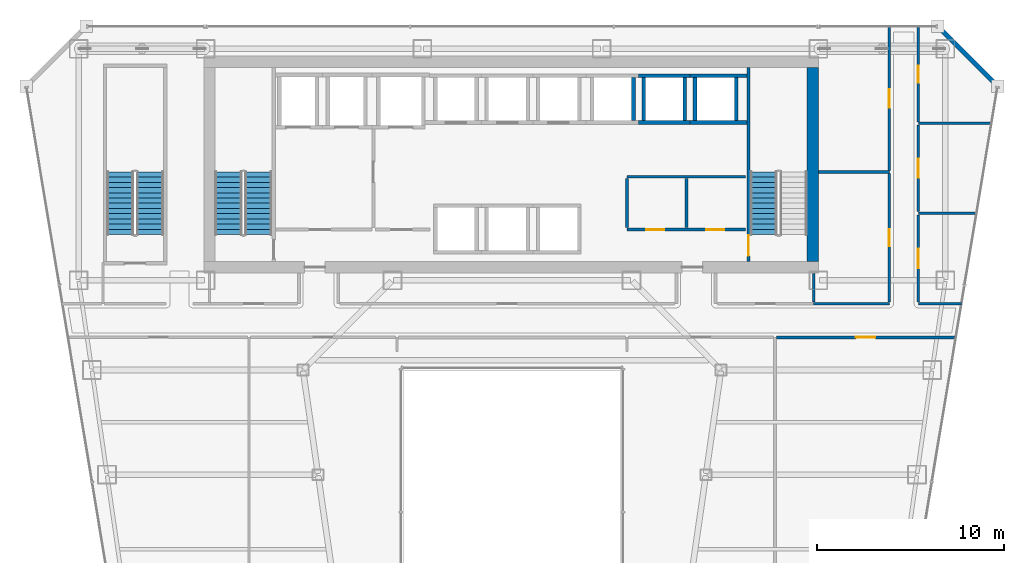
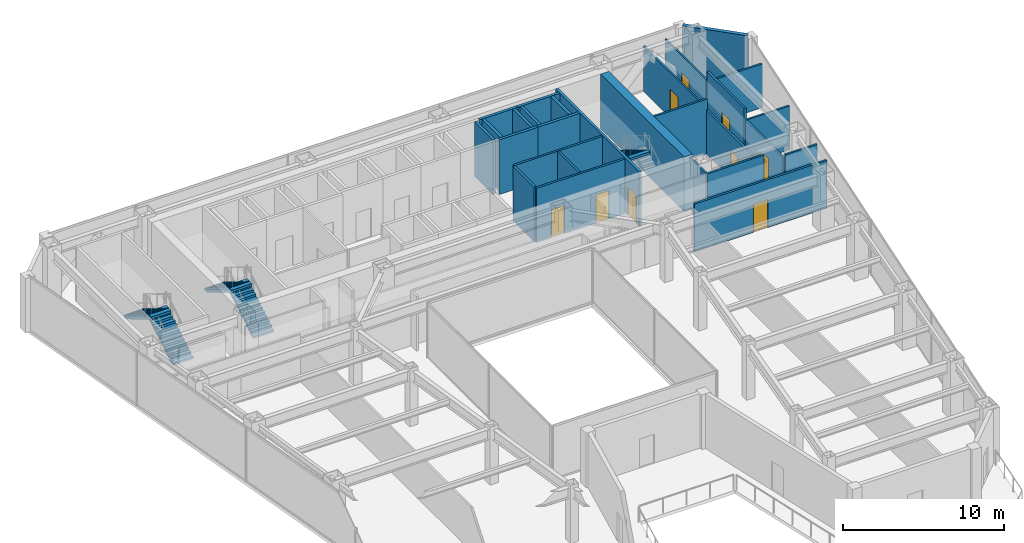
# One storey, part 30 of 35: 28 walls, 9 doors, 5 stair flights, 9 openings, 3 elements without a shape of their own.
"""IFC4 building model written with IfcOpenShell, lengths in metres."""

from ifc_helpers import new_model, si_unit, direction, frame, frame_2d, origin, place, context, subcontext, project, spatial, polyline, rectangle, outline, extrude, material, layer, layer_set, type_object, element, fill, aggregate, save


model = new_model("IFC4")

# Units and contexts
model_context = context("Model", 3, precision=1e-05, world=origin(), true_north=direction((0.0, 1.0)))
body_context = subcontext(model_context, "Body", "Model", "MODEL_VIEW")
ifc_project = project(units=[si_unit("LENGTHUNIT", "METRE"), si_unit("AREAUNIT", "SQUARE_METRE"), si_unit("VOLUMEUNIT", "CUBIC_METRE"), si_unit("PLANEANGLEUNIT", "RADIAN"), si_unit("MASSUNIT", "GRAM", prefix="KILO")], contexts=[model_context])

# Site, building, storey
site_placement = place(None, origin())
site = spatial("IfcSite", under=ifc_project, at=site_placement, CompositionType="ELEMENT")
building_placement = place(site_placement, origin())
building = spatial("IfcBuilding", under=site, at=building_placement, Name="Saevonmaru Cultural Tower", CompositionType="ELEMENT")
storey_placement = place(building_placement, frame((0.0, 0.0, 101.60009765625)))
storey = spatial("IfcBuildingStorey", under=building, at=storey_placement, Name="L21", CompositionType="ELEMENT", Elevation=101.60009765625)

# Wall
ifc_material_1 = material(Name="Concrete C60/75", Category="concrete")
ifc_layer_1 = layer(ifc_material_1, 0.60009765625, Name="Concrete C60/75")
ifc_layer_set_1 = layer_set([ifc_layer_1], Name="Concrete C60/75")
wall_type_1 = type_object("IfcWallType", Name="WL-CORE-600", PredefinedType="SHEAR", material=ifc_layer_set_1)
wall_1_placement = place(storey_placement, frame((46.10009765625, 43.39990234375, 0.0), z_axis=(0.0, 0.0, 1.0), x_axis=(0.0, 1.0, 0.0)))
element("IfcWall", 1, at=wall_1_placement, inside=storey, type_object=wall_type_1, Name="L21 Tower RC core shear wall E", PredefinedType="SHEAR", context=body_context, shape_type="SweptSolid", body=[
    extrude(rectangle(XDim=10.400146484375, YDim=0.60009765625, at=frame_2d((5.2001953125, 0.0))), origin(), (0.0, 0.0, 1.0), 4.14990234375),
])

# Wall, openings, doors
ifc_material_2 = material(Name="Gypsum Fireboard Partition", Category="gypsum")
ifc_layer_2 = layer(ifc_material_2, 0.14990234375, Name="Gypsum Fireboard Partition")
ifc_layer_set_2 = layer_set([ifc_layer_2], Name="Gypsum Fireboard Partition")
wall_type_2 = type_object("IfcWallType", Name="WL-CORE-PART-150", PredefinedType="PARTITIONING", material=ifc_layer_set_2)
wall_2_placement = place(storey_placement, frame((36.14990234375, 45.1201171875, 0.0), z_axis=(0.0, 0.0, 1.0), x_axis=(1.0, 0.0, 0.0)))
wall_2 = element("IfcWall", 2, at=wall_2_placement, inside=storey, type_object=wall_type_2, Name="L21 Core Cluster South Wall", PredefinedType="PARTITIONING", context=body_context, shape_type="SweptSolid", body=[
    extrude(rectangle(XDim=6.35009765625, YDim=0.14990234375, at=frame_2d((3.175048828125, 0.0))), origin(), (0.0, 0.0, 1.0), 4.14990234375),
])
opening_1_placement = place(wall_2_placement, frame((1.050048828125, 0.0, 0.0)))
opening_1 = element("IfcOpeningElement", 3, at=opening_1_placement, cuts=wall_2, Name="Opening FD-4", PredefinedType="OPENING", context=body_context, shape_type="SweptSolid", body=[
    extrude(rectangle(XDim=0.949951171875, YDim=2.14990234375, at=frame_2d((0.47509765625, 1.074951171875))), frame((0.0, 0.0849609375, 0.0), z_axis=(0.0, -1.0, 0.0), x_axis=(1.0, 0.0, 0.0)), (0.0, 0.0, 1.0), 0.169921875),
])
opening_2_placement = place(wall_2_placement, frame((4.25, 0.0, 0.0)))
opening_2 = element("IfcOpeningElement", 4, at=opening_2_placement, cuts=wall_2, Name="Opening FD-4", PredefinedType="OPENING", context=body_context, shape_type="SweptSolid", body=[
    extrude(rectangle(XDim=0.949951171875, YDim=2.14990234375, at=frame_2d((0.47509765625, 1.074951171875))), frame((0.0, 0.0849609375, 0.0), z_axis=(0.0, -1.0, 0.0), x_axis=(1.0, 0.0, 0.0)), (0.0, 0.0, 1.0), 0.169921875),
])
ifc_material_3 = material(Name="Satin Bronze Anodised Aluminium", Category="aluminium")
door_type_1 = type_object("IfcDoorType", Name="DR-FD60-950", OperationType="SINGLE_SWING_LEFT", PredefinedType="DOOR", material=ifc_material_3)
door_1_placement = place(opening_1_placement, origin())
door_1 = element("IfcDoor", 5, at=door_1_placement, inside=storey, type_object=door_type_1, Name="L21 BMS Control Room Door", OperationType="SINGLE_SWING_LEFT", OverallHeight=2.14990234375, OverallWidth=0.949951171875, PredefinedType="DOOR", context=body_context, shape_type="SweptSolid", body=[
    extrude(rectangle(XDim=0.949951171875, YDim=2.14990234375, at=frame_2d((0.47509765625, 1.074951171875))), frame((0.0, 0.02490234375, 0.0), z_axis=(0.0, -1.0, 0.0), x_axis=(1.0, 0.0, 0.0)), (0.0, 0.0, 1.0), 0.050048828125),
])
fill(opening_1, door_1)
door_2_placement = place(opening_2_placement, origin())
door_2 = element("IfcDoor", 6, at=door_2_placement, inside=storey, type_object=door_type_1, Name="L21 Fibre Node Plant Door", OperationType="SINGLE_SWING_LEFT", OverallHeight=2.14990234375, OverallWidth=0.949951171875, PredefinedType="DOOR", context=body_context, shape_type="SweptSolid", body=[
    extrude(rectangle(XDim=0.949951171875, YDim=2.14990234375, at=frame_2d((0.47509765625, 1.074951171875))), frame((0.0, 0.02490234375, 0.0), z_axis=(0.0, -1.0, 0.0), x_axis=(1.0, 0.0, 0.0)), (0.0, 0.0, 1.0), 0.050048828125),
])
fill(opening_2, door_2)

# Walls
wall_3_placement = place(storey_placement, frame((36.14990234375, 47.949951171875, 0.0), z_axis=(0.0, 0.0, 1.0), x_axis=(1.0, 0.0, 0.0)))
element("IfcWall", 7, at=wall_3_placement, inside=storey, type_object=wall_type_2, Name="L21 Core Cluster North Wall", PredefinedType="PARTITIONING", context=body_context, shape_type="SweptSolid", body=[
    extrude(rectangle(XDim=6.35009765625, YDim=0.14990234375, at=frame_2d((3.175048828125, 0.0))), origin(), (0.0, 0.0, 1.0), 4.14990234375),
])
for number, where, z_axis, x_axis, name in (
    (8, (36.14990234375, 45.219970703125, 0.0), (0.0, 0.0, 1.0), (0.0, 1.0, 0.0), "L21 Core Cluster West Wall"),
    (9, (39.35009765625, 45.219970703125, 0.0), (0.0, 0.0, 1.0), (0.0, 1.0, 0.0), "L21 Core Cluster Inner Split"),
):
    element("IfcWall", number, at=place(storey_placement, frame(where, z_axis=z_axis, x_axis=x_axis)), inside=storey, type_object=wall_type_2, Name=name, PredefinedType="PARTITIONING", context=body_context, shape_type="SweptSolid", body=[
        extrude(rectangle(XDim=2.630126953125, YDim=0.14990234375, at=frame_2d((1.31494140625, 0.0))), origin(), (0.0, 0.0, 1.0), 4.14990234375),
    ])
ifc_material_4 = material(Name="Granite-Clad Precast Concrete C40/50", Category="masonry")
ifc_layer_3 = layer(ifc_material_4, 0.260009765625, Name="Granite-Clad Precast Concrete C40/50")
ifc_layer_set_3 = layer_set([ifc_layer_3], Name="Granite-Clad Precast Concrete C40/50")
wall_type_3 = type_object("IfcWallType", Name="WL-EXT-SPANDREL-260", PredefinedType="STANDARD", material=ifc_layer_set_3)
wall_4_placement = place(storey_placement, frame((55.886962890625, 52.9130859375, 0.0), z_axis=(0.0, 0.0, 1.0), x_axis=(-0.707106781187, 0.707106781187, 0.0)))
element("IfcWall", 10, at=wall_4_placement, inside=storey, type_object=wall_type_3, Name="L21 Chamfer Corner Spandrel Wall E9", PredefinedType="STANDARD", context=body_context, shape_type="SweptSolid", body=[
    extrude(rectangle(XDim=4.205810546875, YDim=0.260009765625, at=frame_2d((2.10302734375, 0.0))), origin(), (0.0, 0.0, 1.0), 4.14990234375),
])

# Wall, opening, door
ifc_layer_4 = layer(ifc_material_2, 0.14990234375, Name="Gypsum Fireboard Partition")
ifc_layer_set_4 = layer_set([ifc_layer_4], Name="Gypsum Fireboard Partition")
wall_type_4 = type_object("IfcWallType", Name="WL-PART-FIRE-150", PredefinedType="PARTITIONING", material=ifc_layer_set_4)
wall_5_placement = place(storey_placement, frame((51.75, 41.237548828125, 0.0), z_axis=(0.0, 0.0, 1.0), x_axis=(0.0, 1.0, 0.0)))
wall_5 = element("IfcWall", 11, at=wall_5_placement, inside=storey, type_object=wall_type_4, Name="L21 Skyline Exhibition Gallery Corridor Wall", PredefinedType="PARTITIONING", context=body_context, shape_type="SweptSolid", body=[
    extrude(rectangle(XDim=4.675048828125, YDim=0.14990234375, at=frame_2d((2.33740234375, 0.0))), origin(), (0.0, 0.0, 1.0), 3.3349609375),
])
opening_3_placement = place(wall_5_placement, frame((1.81298828125, 0.0, 0.0)))
opening_3 = element("IfcOpeningElement", 12, at=opening_3_placement, cuts=wall_5, Name="Opening ID-1", PredefinedType="OPENING", context=body_context, shape_type="SweptSolid", body=[
    extrude(rectangle(XDim=1.050048828125, YDim=2.14990234375, at=frame_2d((0.52490234375, 1.074951171875))), frame((0.0, 0.0849609375, 0.0), z_axis=(0.0, -1.0, 0.0), x_axis=(1.0, 0.0, 0.0)), (0.0, 0.0, 1.0), 0.169921875),
])
door_type_2 = type_object("IfcDoorType", Name="DR-INT-1050", OperationType="SINGLE_SWING_LEFT", PredefinedType="DOOR", material=ifc_material_3)
door_3_placement = place(opening_3_placement, origin())
door_3 = element("IfcDoor", 13, at=door_3_placement, inside=storey, type_object=door_type_2, Name="L21 Skyline Exhibition Gallery Door", OperationType="SINGLE_SWING_RIGHT", OverallHeight=2.14990234375, OverallWidth=1.050048828125, PredefinedType="DOOR", context=body_context, shape_type="SweptSolid", body=[
    extrude(rectangle(XDim=1.050048828125, YDim=2.14990234375, at=frame_2d((0.52490234375, 1.074951171875))), frame((0.0, 0.02490234375, 0.0), z_axis=(0.0, -1.0, 0.0), x_axis=(1.0, 0.0, 0.0)), (0.0, 0.0, 1.0), 0.050048828125),
])
fill(opening_3, door_3)

wall_6_placement = place(storey_placement, frame((51.75, 46.08740234375, 0.0), z_axis=(0.0, 0.0, 1.0), x_axis=(0.0, 1.0, 0.0)))
wall_6 = element("IfcWall", 14, at=wall_6_placement, inside=storey, type_object=wall_type_4, Name="L21 Acoustic Chamber Auditorium Corridor Wall", PredefinedType="PARTITIONING", context=body_context, shape_type="SweptSolid", body=[
    extrude(rectangle(XDim=4.625, YDim=0.14990234375, at=frame_2d((2.3125, 0.0))), origin(), (0.0, 0.0, 1.0), 4.14990234375),
])
opening_4_placement = place(wall_6_placement, frame((1.81201171875, 0.0, 0.0)))
opening_4 = element("IfcOpeningElement", 15, at=opening_4_placement, cuts=wall_6, Name="Opening ID-1B", PredefinedType="OPENING", context=body_context, shape_type="SweptSolid", body=[
    extrude(rectangle(XDim=1.0, YDim=2.14990234375, at=frame_2d((0.5, 1.074951171875))), frame((0.0, 0.0849609375, 0.0), z_axis=(0.0, -1.0, 0.0), x_axis=(1.0, 0.0, 0.0)), (0.0, 0.0, 1.0), 0.169921875),
])
ifc_material_5 = material(Name="Acoustic Stained Oak Timber", Category="wood")
door_type_3 = type_object("IfcDoorType", Name="DR-INT-1000", OperationType="SINGLE_SWING_RIGHT", PredefinedType="DOOR", material=ifc_material_5)
door_4_placement = place(opening_4_placement, origin())
door_4 = element("IfcDoor", 16, at=door_4_placement, inside=storey, type_object=door_type_3, Name="L21 Acoustic Chamber Auditorium Door", OperationType="SINGLE_SWING_LEFT", OverallHeight=2.14990234375, OverallWidth=1.0, PredefinedType="DOOR", context=body_context, shape_type="SweptSolid", body=[
    extrude(rectangle(XDim=1.0, YDim=2.14990234375, at=frame_2d((0.5, 1.074951171875))), frame((0.0, 0.02490234375, 0.0), z_axis=(0.0, -1.0, 0.0), x_axis=(1.0, 0.0, 0.0)), (0.0, 0.0, 1.0), 0.050048828125),
])
fill(opening_4, door_4)

wall_7_placement = place(storey_placement, frame((44.16748046875, 39.35009765625, 0.0), z_axis=(0.0, 0.0, 1.0), x_axis=(1.0, 0.0, 0.0)))
wall_7 = element("IfcWall", 17, at=wall_7_placement, inside=storey, type_object=wall_type_4, Name="L21 Skyline Exhibition Gallery Corridor Wall", PredefinedType="PARTITIONING", context=body_context, shape_type="SweptSolid", body=[
    extrude(rectangle(XDim=9.527587890625, YDim=0.14990234375, at=frame_2d((4.763671875, 0.0))), origin(), (0.0, 0.0, 1.0), 3.635009765625),
])
opening_5_placement = place(wall_7_placement, frame((4.239013671875, 0.0, 0.0)))
opening_5 = element("IfcOpeningElement", 18, at=opening_5_placement, cuts=wall_7, Name="Opening ID-1", PredefinedType="OPENING", context=body_context, shape_type="SweptSolid", body=[
    extrude(rectangle(XDim=1.050048828125, YDim=2.14990234375, at=frame_2d((0.52490234375, 1.074951171875))), frame((0.0, 0.0849609375, 0.0), z_axis=(0.0, -1.0, 0.0), x_axis=(1.0, 0.0, 0.0)), (0.0, 0.0, 1.0), 0.169921875),
])
door_5_placement = place(opening_5_placement, origin())
door_5 = element("IfcDoor", 19, at=door_5_placement, inside=storey, type_object=door_type_2, Name="L21 Skyline Exhibition Gallery Door", OperationType="SINGLE_SWING_LEFT", OverallHeight=2.14990234375, OverallWidth=1.050048828125, PredefinedType="DOOR", context=body_context, shape_type="SweptSolid", body=[
    extrude(rectangle(XDim=1.050048828125, YDim=2.14990234375, at=frame_2d((0.52490234375, 1.074951171875))), frame((0.0, 0.02490234375, 0.0), z_axis=(0.0, -1.0, 0.0), x_axis=(1.0, 0.0, 0.0)), (0.0, 0.0, 1.0), 0.050048828125),
])
fill(opening_5, door_5)

ifc_layer_5 = layer(ifc_material_2, 0.1201171875, Name="Gypsum Fireboard Partition")
ifc_layer_set_5 = layer_set([ifc_layer_5], Name="Gypsum Fireboard Partition")
wall_type_5 = type_object("IfcWallType", Name="WL-PART-GYP-120", PredefinedType="PARTITIONING", material=ifc_layer_set_5)
wall_8_placement = place(storey_placement, frame((50.199951171875, 48.2900390625, 0.0), z_axis=(0.0, 0.0, 1.0), x_axis=(0.0, 1.0, 0.0)))
wall_8 = element("IfcWall", 20, at=wall_8_placement, inside=storey, type_object=wall_type_5, Name="L21 Museum Espresso Cafe Corridor Wall", PredefinedType="PARTITIONING", context=body_context, shape_type="SweptSolid", body=[
    extrude(rectangle(XDim=7.705078125, YDim=0.1201171875, at=frame_2d((3.8525390625, 0.0))), origin(), (0.0, 0.0, 1.0), 3.434814453125),
])
opening_6_placement = place(wall_8_placement, frame((3.35205078125, 0.0, 0.0)))
opening_6 = element("IfcOpeningElement", 21, at=opening_6_placement, cuts=wall_8, Name="Opening ID-1B", PredefinedType="OPENING", context=body_context, shape_type="SweptSolid", body=[
    extrude(rectangle(XDim=1.0, YDim=2.14990234375, at=frame_2d((0.5, 1.074951171875))), frame((0.0, 0.070068359375, 0.0), z_axis=(0.0, -1.0, 0.0), x_axis=(1.0, 0.0, 0.0)), (0.0, 0.0, 1.0), 0.14013671875),
])
door_6_placement = place(opening_6_placement, origin())
door_6 = element("IfcDoor", 22, at=door_6_placement, inside=storey, type_object=door_type_3, Name="L21 Museum Espresso Cafe Door", OperationType="SINGLE_SWING_LEFT", OverallHeight=2.14990234375, OverallWidth=1.0, PredefinedType="DOOR", context=body_context, shape_type="SweptSolid", body=[
    extrude(rectangle(XDim=1.0, YDim=2.14990234375, at=frame_2d((0.5, 1.074951171875))), frame((0.0, 0.02490234375, 0.0), z_axis=(0.0, -1.0, 0.0), x_axis=(1.0, 0.0, 0.0)), (0.0, 0.0, 1.0), 0.050048828125),
])
fill(opening_6, door_6)

wall_9_placement = place(storey_placement, frame((51.75, 50.887451171875, 0.0), z_axis=(0.0, 0.0, 1.0), x_axis=(0.0, 1.0, 0.0)))
wall_9 = element("IfcWall", 23, at=wall_9_placement, inside=storey, type_object=wall_type_5, Name="L21 Visiting Fellows Office Corridor Wall", PredefinedType="PARTITIONING", context=body_context, shape_type="SweptSolid", body=[
    extrude(rectangle(XDim=5.107666015625, YDim=0.1201171875, at=frame_2d((2.5537109375, 0.0))), origin(), (0.0, 0.0, 1.0), 3.434814453125),
])
opening_7_placement = place(wall_9_placement, frame((2.10400390625, 0.0, 0.0)))
opening_7 = element("IfcOpeningElement", 24, at=opening_7_placement, cuts=wall_9, Name="Opening ID-2", PredefinedType="OPENING", context=body_context, shape_type="SweptSolid", body=[
    extrude(rectangle(XDim=0.89990234375, YDim=2.10009765625, at=frame_2d((0.449951171875, 1.050048828125))), frame((0.0, 0.070068359375, 0.0), z_axis=(0.0, -1.0, 0.0), x_axis=(1.0, 0.0, 0.0)), (0.0, 0.0, 1.0), 0.14013671875),
])
door_type_4 = type_object("IfcDoorType", Name="DR-INT-900", OperationType="SINGLE_SWING_RIGHT", PredefinedType="DOOR", material=ifc_material_5)
door_7_placement = place(opening_7_placement, origin())
door_7 = element("IfcDoor", 25, at=door_7_placement, inside=storey, type_object=door_type_4, Name="L21 Visiting Fellows Office Door", OperationType="SINGLE_SWING_RIGHT", OverallHeight=2.10009765625, OverallWidth=0.89990234375, PredefinedType="DOOR", context=body_context, shape_type="SweptSolid", body=[
    extrude(rectangle(XDim=0.89990234375, YDim=2.10009765625, at=frame_2d((0.449951171875, 1.050048828125))), frame((0.0, 0.02490234375, 0.0), z_axis=(0.0, -1.0, 0.0), x_axis=(1.0, 0.0, 0.0)), (0.0, 0.0, 1.0), 0.050048828125),
])
fill(opening_7, door_7)

# Walls
ifc_layer_6 = layer(ifc_material_2, 0.135009765625, Name="Gypsum Fireboard Partition")
ifc_layer_set_6 = layer_set([ifc_layer_6], Name="Gypsum Fireboard Partition")
wall_type_6 = type_object("IfcWallType", Name="WL-PART-GYP-135", PredefinedType="PARTITIONING", material=ifc_layer_set_6)
wall_10_placement = place(storey_placement, frame((51.75, 41.14990234375, 0.0), z_axis=(0.0, 0.0, 1.0), x_axis=(1.0, 0.0, 0.0)))
element("IfcWall", 26, at=wall_10_placement, inside=storey, type_object=wall_type_6, Name="L21 NE Wing South Wall", PredefinedType="PARTITIONING", context=body_context, shape_type="SweptSolid", body=[
    extrude(rectangle(XDim=2.30810546875, YDim=0.135009765625, at=frame_2d((1.154052734375, 0.0))), origin(), (0.0, 0.0, 1.0), 3.635009765625),
])
wall_11_placement = place(storey_placement, frame((51.75, 46.0, 0.0), z_axis=(0.0, 0.0, 1.0), x_axis=(1.0, 0.0, 0.0)))
element("IfcWall", 27, at=wall_11_placement, inside=storey, type_object=wall_type_6, Name="L21 NE Studio Divider 1", PredefinedType="PARTITIONING", context=body_context, shape_type="SweptSolid", body=[
    extrude(rectangle(XDim=3.114501953125, YDim=0.135009765625, at=frame_2d((1.55712890625, 0.0))), origin(), (0.0, 0.0, 1.0), 3.3349609375),
])
wall_12_placement = place(storey_placement, frame((51.75, 50.800048828125, 0.0), z_axis=(0.0, 0.0, 1.0), x_axis=(1.0, 0.0, 0.0)))
element("IfcWall", 28, at=wall_12_placement, inside=storey, type_object=wall_type_6, Name="L21 NE Studio Divider 2", PredefinedType="PARTITIONING", context=body_context, shape_type="SweptSolid", body=[
    extrude(rectangle(XDim=3.912353515625, YDim=0.135009765625, at=frame_2d((1.9560546875, 0.0))), origin(), (0.0, 0.0, 1.0), 3.3349609375),
])
ifc_layer_7 = layer(ifc_material_2, 0.139892578125, Name="Gypsum Fireboard Partition")
ifc_layer_set_7 = layer_set([ifc_layer_7], Name="Gypsum Fireboard Partition")
wall_type_7 = type_object("IfcWallType", Name="WL-PART-WET-140", PredefinedType="PARTITIONING", material=ifc_layer_set_7)
wall_13_placement = place(storey_placement, frame((46.14990234375, 41.14990234375, 0.0), z_axis=(0.0, 0.0, 1.0), x_axis=(1.0, 0.0, 0.0)))
element("IfcWall", 29, at=wall_13_placement, inside=storey, type_object=wall_type_7, Name="L21 Washroom South Wall", PredefinedType="PARTITIONING", context=body_context, shape_type="SweptSolid", body=[
    extrude(rectangle(XDim=4.050048828125, YDim=0.139892578125, at=frame_2d((2.02490234375, 0.0))), origin(), (0.0, 0.0, 1.0), 4.14990234375),
])
wall_14_placement = place(storey_placement, frame((46.14990234375, 41.239990234375, 0.0), z_axis=(0.0, 0.0, 1.0), x_axis=(0.0, 1.0, 0.0)))
element("IfcWall", 30, at=wall_14_placement, inside=storey, type_object=wall_type_7, Name="L21 Washroom South-West Return", PredefinedType="PARTITIONING", context=body_context, shape_type="SweptSolid", body=[
    extrude(rectangle(XDim=1.5400390625, YDim=0.139892578125, at=frame_2d((0.77001953125, 0.0))), origin(), (0.0, 0.0, 1.0), 4.14990234375),
])
wall_15_placement = place(storey_placement, frame((46.419921875, 48.199951171875, 0.0), z_axis=(0.0, 0.0, 1.0), x_axis=(1.0, 0.0, 0.0)))
element("IfcWall", 31, at=wall_15_placement, inside=storey, type_object=wall_type_7, Name="L21 Washroom North Wall", PredefinedType="PARTITIONING", context=body_context, shape_type="SweptSolid", body=[
    extrude(rectangle(XDim=3.780029296875, YDim=0.139892578125, at=frame_2d((1.89013671875, 0.0))), origin(), (0.0, 0.0, 1.0), 4.14990234375),
])

# Wall, opening, door
wall_16_placement = place(storey_placement, frame((50.199951171875, 41.239990234375, 0.0), z_axis=(0.0, 0.0, 1.0), x_axis=(0.0, 1.0, 0.0)))
wall_16 = element("IfcWall", 32, at=wall_16_placement, inside=storey, type_object=wall_type_7, Name="L21 Washroom Corridor Wall", PredefinedType="PARTITIONING", context=body_context, shape_type="SweptSolid", body=[
    extrude(rectangle(XDim=6.8701171875, YDim=0.139892578125, at=frame_2d((3.43505859375, 0.0))), origin(), (0.0, 0.0, 1.0), 3.3349609375),
])
opening_8_placement = place(wall_16_placement, frame((2.985107421875, 0.0, 0.0)))
opening_8 = element("IfcOpeningElement", 33, at=opening_8_placement, cuts=wall_16, Name="Opening ID-2", PredefinedType="OPENING", context=body_context, shape_type="SweptSolid", body=[
    extrude(rectangle(XDim=0.89990234375, YDim=2.10009765625, at=frame_2d((0.449951171875, 1.050048828125))), frame((0.0, 0.080078125, 0.0), z_axis=(0.0, -1.0, 0.0), x_axis=(1.0, 0.0, 0.0)), (0.0, 0.0, 1.0), 0.159912109375),
])
door_8_placement = place(opening_8_placement, origin())
door_8 = element("IfcDoor", 34, at=door_8_placement, inside=storey, type_object=door_type_4, Name="L21 Public Accessible Washrooms Door", OperationType="SINGLE_SWING_RIGHT", OverallHeight=2.10009765625, OverallWidth=0.89990234375, PredefinedType="DOOR", context=body_context, shape_type="SweptSolid", body=[
    extrude(rectangle(XDim=0.89990234375, YDim=2.10009765625, at=frame_2d((0.449951171875, 1.050048828125))), frame((0.0, 0.02490234375, 0.0), z_axis=(0.0, -1.0, 0.0), x_axis=(1.0, 0.0, 0.0)), (0.0, 0.0, 1.0), 0.050048828125),
])
fill(opening_8, door_8)

# Walls
ifc_material_6 = material(Name="Concrete C40/50", Category="concrete")
ifc_layer_8 = layer(ifc_material_6, 0.199951171875, Name="Concrete C40/50")
ifc_layer_set_8 = layer_set([ifc_layer_8], Name="Concrete C40/50")
wall_type_8 = type_object("IfcWallType", Name="WL-SHAFT-200", PredefinedType="SHEAR", material=ifc_layer_set_8)
wall_17_placement = place(storey_placement, frame((36.5, 50.949951171875, 0.0), z_axis=(0.0, 0.0, 1.0), x_axis=(0.0, 1.0, 0.0)))
element("IfcWall", 35, at=wall_17_placement, inside=storey, type_object=wall_type_8, Name="L21 Lift PL-H1 Hoistway Wall E", PredefinedType="SHEAR", context=body_context, shape_type="SweptSolid", body=[
    extrude(rectangle(XDim=2.300048828125, YDim=0.199951171875, at=frame_2d((1.14990234375, 0.0))), origin(), (0.0, 0.0, 1.0), 4.14990234375),
])
for number, where, z_axis, x_axis, name in (
    (36, (36.77490234375, 50.85009765625, 0.0), (0.0, 0.0, 1.0), (1.0, 0.0, 0.0), "L21 Lift PL-H2 Hoistway Wall S"),
    (37, (36.77490234375, 53.35009765625, 0.0), (0.0, 0.0, 1.0), (1.0, 0.0, 0.0), "L21 Lift PL-H2 Hoistway Wall N"),
):
    element("IfcWall", number, at=place(storey_placement, frame(where, z_axis=z_axis, x_axis=x_axis)), inside=storey, type_object=wall_type_8, Name=name, PredefinedType="SHEAR", context=body_context, shape_type="SweptSolid", body=[
        extrude(rectangle(XDim=2.75, YDim=0.199951171875, at=frame_2d((1.375, 0.0))), origin(), (0.0, 0.0, 1.0), 4.14990234375),
    ])
for number, where, z_axis, x_axis, name in (
    (38, (37.050048828125, 50.949951171875, 0.0), (0.0, 0.0, 1.0), (0.0, 1.0, 0.0), "L21 Lift PL-H2 Hoistway Wall W"),
    (39, (39.25, 50.949951171875, 0.0), (0.0, 0.0, 1.0), (0.0, 1.0, 0.0), "L21 Lift PL-H2 Hoistway Wall E"),
):
    element("IfcWall", number, at=place(storey_placement, frame(where, z_axis=z_axis, x_axis=x_axis)), inside=storey, type_object=wall_type_8, Name=name, PredefinedType="SHEAR", context=body_context, shape_type="SweptSolid", body=[
        extrude(rectangle(XDim=2.300048828125, YDim=0.199951171875, at=frame_2d((1.14990234375, 0.0))), origin(), (0.0, 0.0, 1.0), 4.14990234375),
    ])
for number, where, z_axis, x_axis, name in (
    (40, (39.52490234375, 50.85009765625, 0.0), (0.0, 0.0, 1.0), (1.0, 0.0, 0.0), "L21 Lift PL-H3 Hoistway Wall S"),
    (41, (39.52490234375, 53.35009765625, 0.0), (0.0, 0.0, 1.0), (1.0, 0.0, 0.0), "L21 Lift PL-H3 Hoistway Wall N"),
):
    element("IfcWall", number, at=place(storey_placement, frame(where, z_axis=z_axis, x_axis=x_axis)), inside=storey, type_object=wall_type_8, Name=name, PredefinedType="SHEAR", context=body_context, shape_type="SweptSolid", body=[
        extrude(rectangle(XDim=3.045166015625, YDim=0.199951171875, at=frame_2d((1.5224609375, 0.0))), origin(), (0.0, 0.0, 1.0), 4.14990234375),
    ])
for number, where, z_axis, x_axis, name in (
    (42, (39.800048828125, 50.949951171875, 0.0), (0.0, 0.0, 1.0), (0.0, 1.0, 0.0), "L21 Lift PL-H3 Hoistway Wall W"),
    (43, (42.0, 50.949951171875, 0.0), (0.0, 0.0, 1.0), (0.0, 1.0, 0.0), "L21 Lift PL-H3 Hoistway Wall E"),
):
    element("IfcWall", number, at=place(storey_placement, frame(where, z_axis=z_axis, x_axis=x_axis)), inside=storey, type_object=wall_type_8, Name=name, PredefinedType="SHEAR", context=body_context, shape_type="SweptSolid", body=[
        extrude(rectangle(XDim=2.300048828125, YDim=0.199951171875, at=frame_2d((1.14990234375, 0.0))), origin(), (0.0, 0.0, 1.0), 4.14990234375),
    ])

# Wall, opening, door
ifc_layer_9 = layer(ifc_material_6, 0.179931640625, Name="Concrete C40/50")
ifc_layer_set_9 = layer_set([ifc_layer_9], Name="Concrete C40/50")
wall_type_9 = type_object("IfcWallType", Name="WL-STSHAFT-180", PredefinedType="SHEAR", material=ifc_layer_set_9)
wall_18_placement = place(storey_placement, frame((42.659912109375, 53.800048828125, 0.0), z_axis=(0.0, 0.0, 1.0), x_axis=(0.0, -1.0, 0.0)))
wall_18 = element("IfcWall", 44, at=wall_18_placement, inside=storey, type_object=wall_type_9, Name="L21 Stair ST-2 Structural Shaft Wall 1", PredefinedType="SHEAR", context=body_context, shape_type="SweptSolid", body=[
    extrude(rectangle(XDim=10.400146484375, YDim=0.179931640625, at=frame_2d((5.2001953125, 0.0))), origin(), (0.0, 0.0, 1.0), 4.14990234375),
])
opening_9_placement = place(wall_18_placement, frame((8.989990234375, 0.0, 0.0)))
opening_9 = element("IfcOpeningElement", 45, at=opening_9_placement, cuts=wall_18, Name="Opening FD-2", PredefinedType="OPENING", context=body_context, shape_type="SweptSolid", body=[
    extrude(rectangle(XDim=1.10009765625, YDim=2.14990234375, at=frame_2d((0.550048828125, 1.074951171875))), frame((0.0, 0.10009765625, 0.0), z_axis=(0.0, -1.0, 0.0), x_axis=(1.0, 0.0, 0.0)), (0.0, 0.0, 1.0), 0.199951171875),
])
door_type_5 = type_object("IfcDoorType", Name="DR-FD60-1100", OperationType="SINGLE_SWING_LEFT", PredefinedType="DOOR", material=ifc_material_3)
door_9_placement = place(opening_9_placement, origin())
door_9 = element("IfcDoor", 46, at=door_9_placement, inside=storey, type_object=door_type_5, Name="L21 Protected Stair ST-2 Fire Door", OperationType="SINGLE_SWING_LEFT", OverallHeight=2.14990234375, OverallWidth=1.10009765625, PredefinedType="DOOR", context=body_context, shape_type="SweptSolid", body=[
    extrude(rectangle(XDim=1.10009765625, YDim=2.14990234375, at=frame_2d((0.550048828125, 1.074951171875))), frame((0.0, 0.02490234375, 0.0), z_axis=(0.0, -1.0, 0.0), x_axis=(1.0, 0.0, 0.0)), (0.0, 0.0, 1.0), 0.050048828125),
])
fill(opening_9, door_9)

# Stair, stair flights
stair_type = type_object("IfcStairType", Name="STR-DOGLEG-RC", PredefinedType="HALF_TURN_STAIR", material=ifc_material_6)
stair_1_placement = place(storey_placement, origin())
stair_1 = element("IfcStair", 47, at=stair_1_placement, inside=storey, type_object=stair_type, Name="L21 Protected exit stair ST-1", PredefinedType="HALF_TURN_STAIR")
ifc_material_7 = material(Name="Precast concrete C40/50", Category="concrete")
stair_flight_type = type_object("IfcStairFlightType", Name="STF-PRECAST-180", PredefinedType="STRAIGHT", material=ifc_material_7)
stair_flight_1_placement = place(storey_placement, frame((16.425048828125, 44.85009765625, 0.0), z_axis=(0.0, 0.0, 1.0), x_axis=(0.0, 1.0, 0.0)))
stair_flight_1 = element("IfcStairFlight", 48, at=stair_flight_1_placement, type_object=stair_flight_type, Name="ST-1-L21 flight 1", NumberOfRisers=13, NumberOfTreads=12, PredefinedType="STRAIGHT", RiserHeight=0.169230769, TreadLength=0.28, context=body_context, shape_type="SweptSolid", body=[
    extrude(outline(polyline([(0.0, 0.0), (0.0, 0.169189453125), (0.280029296875, 0.169189453125), (0.280029296875, 0.33837890625), (0.56005859375, 0.33837890625), (0.56005859375, 0.5078125), (0.840087890625, 0.5078125), (0.840087890625, 0.677001953125), (1.1201171875, 0.677001953125), (1.1201171875, 0.84619140625), (1.39990234375, 0.84619140625), (1.39990234375, 1.015380859375), (1.679931640625, 1.015380859375), (1.679931640625, 1.1845703125), (1.9599609375, 1.1845703125), (1.9599609375, 1.353759765625), (2.239990234375, 1.353759765625), (2.239990234375, 1.523193359375), (2.52001953125, 1.523193359375), (2.52001953125, 1.6923828125), (2.800048828125, 1.6923828125), (2.800048828125, 1.861572265625), (3.080078125, 1.861572265625), (3.080078125, 2.03076171875), (3.360107421875, 2.03076171875), (3.360107421875, 2.199951171875), (3.360107421875, 1.855712890625), (0.289794921875, 0.0), (0.0, 0.0)])), frame((0.0, 0.72509765625, 0.0), z_axis=(0.0, -1.0, 0.0), x_axis=(1.0, 0.0, 0.0)), (0.0, 0.0, 1.0), 1.449951171875),
])
stair_flight_2_placement = place(storey_placement, frame((14.824951171875, 48.2099609375, 2.199951171875), z_axis=(0.0, 0.0, 1.0), x_axis=(0.0, -1.0, 0.0)))
stair_flight_2 = element("IfcStairFlight", 49, at=stair_flight_2_placement, type_object=stair_flight_type, Name="ST-1-L21 flight 2", NumberOfRisers=13, NumberOfTreads=12, PredefinedType="STRAIGHT", RiserHeight=0.169230769, TreadLength=0.28, context=body_context, shape_type="SweptSolid", body=[
    extrude(outline(polyline([(0.0, 0.0), (0.0, 0.169189453125), (0.280029296875, 0.169189453125), (0.280029296875, 0.33837890625), (0.56005859375, 0.33837890625), (0.56005859375, 0.5078125), (0.840087890625, 0.5078125), (0.840087890625, 0.677001953125), (1.1201171875, 0.677001953125), (1.1201171875, 0.84619140625), (1.39990234375, 0.84619140625), (1.39990234375, 1.015380859375), (1.679931640625, 1.015380859375), (1.679931640625, 1.1845703125), (1.9599609375, 1.1845703125), (1.9599609375, 1.353759765625), (2.239990234375, 1.353759765625), (2.239990234375, 1.523193359375), (2.52001953125, 1.523193359375), (2.52001953125, 1.6923828125), (2.800048828125, 1.6923828125), (2.800048828125, 1.861572265625), (3.080078125, 1.861572265625), (3.080078125, 2.03076171875), (3.360107421875, 2.03076171875), (3.360107421875, 2.199951171875), (3.360107421875, 1.855712890625), (0.289794921875, 0.0), (0.0, 0.0)])), frame((0.0, 0.72509765625, 0.0), z_axis=(0.0, -1.0, 0.0), x_axis=(1.0, 0.0, 0.0)), (0.0, 0.0, 1.0), 1.449951171875),
])
aggregate(stair_1, [stair_flight_1, stair_flight_2])

# Stair, stair flight
stair_2_placement = place(storey_placement, origin())
stair_2 = element("IfcStair", 50, at=stair_2_placement, inside=storey, type_object=stair_type, Name="L21 Protected exit stair ST-2", PredefinedType="HALF_TURN_STAIR")
stair_flight_3_placement = place(storey_placement, frame((43.47509765625, 48.2099609375, 2.199951171875), z_axis=(0.0, 0.0, 1.0), x_axis=(0.0, -1.0, 0.0)))
stair_flight_3 = element("IfcStairFlight", 51, at=stair_flight_3_placement, type_object=stair_flight_type, Name="ST-2-L21 flight 2", NumberOfRisers=13, NumberOfTreads=12, PredefinedType="STRAIGHT", RiserHeight=0.169230769, TreadLength=0.28, context=body_context, shape_type="SweptSolid", body=[
    extrude(outline(polyline([(0.0, 0.0), (0.0, 0.169189453125), (0.280029296875, 0.169189453125), (0.280029296875, 0.33837890625), (0.56005859375, 0.33837890625), (0.56005859375, 0.5078125), (0.840087890625, 0.5078125), (0.840087890625, 0.677001953125), (1.1201171875, 0.677001953125), (1.1201171875, 0.84619140625), (1.39990234375, 0.84619140625), (1.39990234375, 1.015380859375), (1.679931640625, 1.015380859375), (1.679931640625, 1.1845703125), (1.9599609375, 1.1845703125), (1.9599609375, 1.353759765625), (2.239990234375, 1.353759765625), (2.239990234375, 1.523193359375), (2.52001953125, 1.523193359375), (2.52001953125, 1.6923828125), (2.800048828125, 1.6923828125), (2.800048828125, 1.861572265625), (3.080078125, 1.861572265625), (3.080078125, 2.03076171875), (3.360107421875, 2.03076171875), (3.360107421875, 2.199951171875), (3.360107421875, 1.855712890625), (0.289794921875, 0.0), (0.0, 0.0)])), frame((0.0, 0.72509765625, 0.0), z_axis=(0.0, -1.0, 0.0), x_axis=(1.0, 0.0, 0.0)), (0.0, 0.0, 1.0), 1.449951171875),
])
aggregate(stair_2, [stair_flight_3])

# Stair, stair flights
stair_3_placement = place(storey_placement, origin())
stair_3 = element("IfcStair", 52, at=stair_3_placement, inside=storey, type_object=stair_type, Name="L21 Protected exit stair ST-3", PredefinedType="HALF_TURN_STAIR")
stair_flight_4_placement = place(storey_placement, frame((10.625, 44.85009765625, 0.0), z_axis=(0.0, 0.0, 1.0), x_axis=(0.0, 1.0, 0.0)))
stair_flight_4 = element("IfcStairFlight", 53, at=stair_flight_4_placement, type_object=stair_flight_type, Name="ST-3-L21 flight 1", NumberOfRisers=13, NumberOfTreads=12, PredefinedType="STRAIGHT", RiserHeight=0.169230769, TreadLength=0.28, context=body_context, shape_type="SweptSolid", body=[
    extrude(outline(polyline([(0.0, 0.0), (0.0, 0.169189453125), (0.280029296875, 0.169189453125), (0.280029296875, 0.33837890625), (0.56005859375, 0.33837890625), (0.56005859375, 0.5078125), (0.840087890625, 0.5078125), (0.840087890625, 0.677001953125), (1.1201171875, 0.677001953125), (1.1201171875, 0.84619140625), (1.39990234375, 0.84619140625), (1.39990234375, 1.015380859375), (1.679931640625, 1.015380859375), (1.679931640625, 1.1845703125), (1.9599609375, 1.1845703125), (1.9599609375, 1.353759765625), (2.239990234375, 1.353759765625), (2.239990234375, 1.523193359375), (2.52001953125, 1.523193359375), (2.52001953125, 1.6923828125), (2.800048828125, 1.6923828125), (2.800048828125, 1.861572265625), (3.080078125, 1.861572265625), (3.080078125, 2.03076171875), (3.360107421875, 2.03076171875), (3.360107421875, 2.199951171875), (3.360107421875, 1.855712890625), (0.289794921875, 0.0), (0.0, 0.0)])), frame((0.0, 0.72509765625, 0.0), z_axis=(0.0, -1.0, 0.0), x_axis=(1.0, 0.0, 0.0)), (0.0, 0.0, 1.0), 1.449951171875),
])
stair_flight_5_placement = place(storey_placement, frame((9.02490234375, 48.2099609375, 2.199951171875), z_axis=(0.0, 0.0, 1.0), x_axis=(0.0, -1.0, 0.0)))
stair_flight_5 = element("IfcStairFlight", 54, at=stair_flight_5_placement, type_object=stair_flight_type, Name="ST-3-L21 flight 2", NumberOfRisers=13, NumberOfTreads=12, PredefinedType="STRAIGHT", RiserHeight=0.169230769, TreadLength=0.28, context=body_context, shape_type="SweptSolid", body=[
    extrude(outline(polyline([(0.0, 0.0), (0.0, 0.169189453125), (0.280029296875, 0.169189453125), (0.280029296875, 0.33837890625), (0.56005859375, 0.33837890625), (0.56005859375, 0.5078125), (0.840087890625, 0.5078125), (0.840087890625, 0.677001953125), (1.1201171875, 0.677001953125), (1.1201171875, 0.84619140625), (1.39990234375, 0.84619140625), (1.39990234375, 1.015380859375), (1.679931640625, 1.015380859375), (1.679931640625, 1.1845703125), (1.9599609375, 1.1845703125), (1.9599609375, 1.353759765625), (2.239990234375, 1.353759765625), (2.239990234375, 1.523193359375), (2.52001953125, 1.523193359375), (2.52001953125, 1.6923828125), (2.800048828125, 1.6923828125), (2.800048828125, 1.861572265625), (3.080078125, 1.861572265625), (3.080078125, 2.03076171875), (3.360107421875, 2.03076171875), (3.360107421875, 2.199951171875), (3.360107421875, 1.855712890625), (0.289794921875, 0.0), (0.0, 0.0)])), frame((0.0, 0.72509765625, 0.0), z_axis=(0.0, -1.0, 0.0), x_axis=(1.0, 0.0, 0.0)), (0.0, 0.0, 1.0), 1.449951171875),
])
aggregate(stair_3, [stair_flight_4, stair_flight_5])

save(model, "model.ifc")
